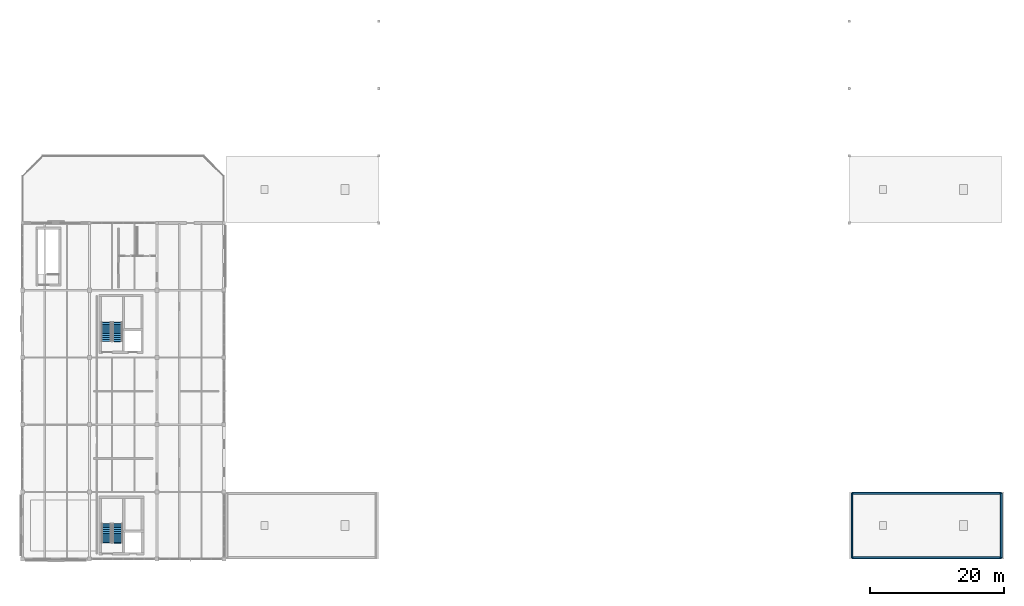
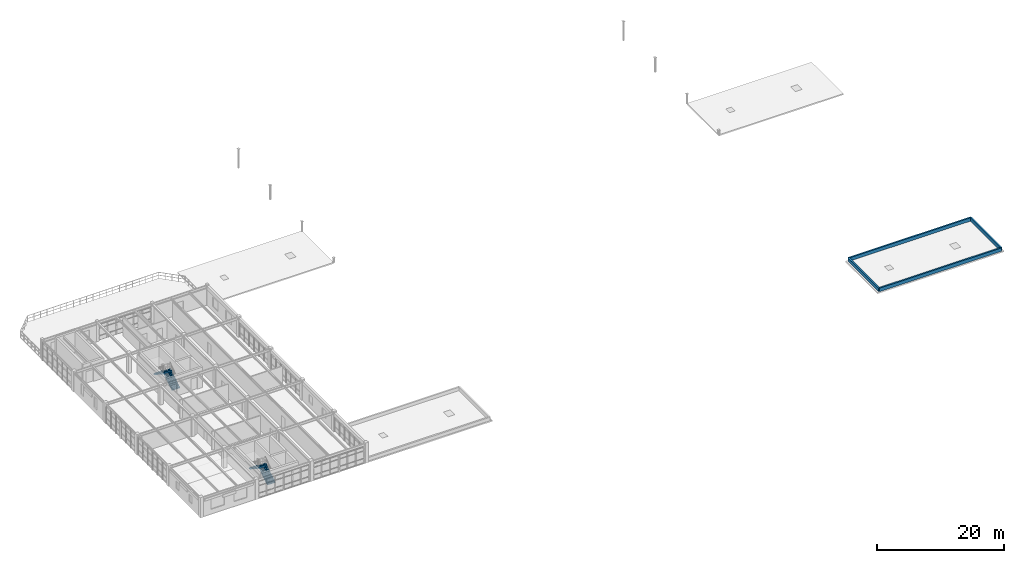
# One storey, part 21 of 23: 4 stair flights, 4 walls, 2 elements without a shape of their own.
"""IFC4 building model written with IfcOpenShell, lengths in metres."""

import ifcopenshell
import ifcopenshell.guid

model = None  # the IFC model being written
_history = None  # IfcOwnerHistory: only IFC2X3 demands one
_inside = {}  # id of a spatial element -> (the spatial element, [elements in it])
_under = {}  # id of a project, library or spatial element -> (it, [spatial elements below it])
_declared = {}  # id of a project -> (the project, [libraries it declares])
_typed = {}  # id of a type object -> (the type object, [elements of that type])
_made_of = {}  # id of a material, layer set ... -> (it, [elements and type objects made of it])


def new_model(schema):
    """Start an empty IFC model of exactly this schema.

    Asked for "IFC4X3", IfcOpenShell would pick the latest addendum, in which some entities
    have other attributes; the version numbers below select the first issue.
    IFC2X3 requires an IfcOwnerHistory on every rooted entity: one is made here for all.
    """
    global model, _history
    if schema == "IFC4X3":
        model = ifcopenshell.file(schema_version=(4, 3, 0, 0))
    else:
        model = ifcopenshell.file(schema=schema)
    _inside.clear()
    _under.clear()
    _declared.clear()
    _typed.clear()
    _made_of.clear()
    _history = None
    if model.schema == "IFC2X3":
        org = make("IfcOrganization", Name="unknown")
        user = make(
            "IfcPersonAndOrganization",
            ThePerson=make("IfcPerson", FamilyName="unknown"),
            TheOrganization=org,
        )
        app = make(
            "IfcApplication",
            ApplicationDeveloper=org,
            Version="unknown",
            ApplicationFullName="unknown",
            ApplicationIdentifier="unknown",
        )
        _history = make(
            "IfcOwnerHistory",
            OwningUser=user,
            OwningApplication=app,
            ChangeAction="ADDED",
            CreationDate=0,
        )
    return model


def make(cls, **values):
    """One entity of the class cls with the attributes given. An attribute that is None is left unset."""
    return model.create_entity(
        cls, **{name: value for name, value in values.items() if value is not None}
    )


def rooted(cls, **values):
    """An entity with a GlobalId (a new one), such as an element, a storey or a relation."""
    return make(cls, GlobalId=ifcopenshell.guid.new(), OwnerHistory=_history, **values)


def si_unit(unit_type, name, prefix=None):
    """IfcSIUnit, for example si_unit("LENGTHUNIT", "METRE", prefix="MILLI")."""
    return make("IfcSIUnit", UnitType=unit_type, Prefix=prefix, Name=name)


def assignment(units):
    """IfcUnitAssignment: the units of a project."""
    return None if units is None else make("IfcUnitAssignment", Units=units)


def point(xyz):
    """IfcCartesianPoint."""
    return None if xyz is None else make("IfcCartesianPoint", Coordinates=xyz)


def direction(xyz):
    """IfcDirection."""
    return None if xyz is None else make("IfcDirection", DirectionRatios=xyz)


def frame(location, z_axis=None, x_axis=None):
    """IfcAxis2Placement3D, a coordinate frame: its origin and axes. An axis left out is left unset."""
    return make(
        "IfcAxis2Placement3D",
        Location=point(location),
        Axis=direction(z_axis),
        RefDirection=direction(x_axis),
    )


def frame_2d(location, x_axis=None):
    """IfcAxis2Placement2D, a coordinate frame in the plane: its origin and x axis."""
    return make(
        "IfcAxis2Placement2D", Location=point(location), RefDirection=direction(x_axis)
    )


def origin():
    """The frame at (0, 0, 0) with its axes left unset."""
    return frame((0.0, 0.0, 0.0))


def place(relative_to, where):
    """IfcLocalPlacement: puts the frame where relative to a parent placement (None: the world)."""
    return make(
        "IfcLocalPlacement", PlacementRelTo=relative_to, RelativePlacement=where
    )


def context(
    kind, dimensions, precision=None, world=None, true_north=None, identifier=None
):
    """IfcGeometricRepresentationContext, for example the 3D "Model" context."""
    return make(
        "IfcGeometricRepresentationContext",
        ContextIdentifier=identifier,
        ContextType=kind,
        CoordinateSpaceDimension=dimensions,
        Precision=precision,
        WorldCoordinateSystem=world,
        TrueNorth=true_north,
    )


def subcontext(parent, identifier, kind, view, scale=None):
    """IfcGeometricRepresentationSubContext, for example "Body" below "Model"."""
    return make(
        "IfcGeometricRepresentationSubContext",
        ContextIdentifier=identifier,
        ContextType=kind,
        ParentContext=parent,
        TargetScale=scale,
        TargetView=view,
    )


def project(units=None, contexts=None):
    """IfcProject with its units and contexts."""
    return rooted(
        "IfcProject",
        Name="project",
        RepresentationContexts=contexts,
        UnitsInContext=assignment(units),
    )


def spatial(cls, under=None, at=None, **own):
    """A site, building, storey or space (cls), placed at a placement, below another one or the project."""
    s = rooted(cls, ObjectPlacement=at, **own)
    if under is not None:
        _under.setdefault(under.id(), (under, []))[1].append(s)
    return s


def polyline(points):
    """IfcPolyline through the points."""
    return make("IfcPolyline", Points=[point(p) for p in points])


def profile(cls, at=None, kind="AREA", **sizes):
    """A parametric profile (cls). Its sizes go by their IFC names, for example OverallWidth=200.0."""
    return make(cls, ProfileType=kind, Position=at, **sizes)


def rectangle(**sizes):
    """IfcRectangleProfileDef."""
    return profile("IfcRectangleProfileDef", **sizes)


def outline(outer, holes=None, kind="AREA"):
    """IfcArbitraryClosedProfileDef: a profile drawn as a closed curve; with holes, ...WithVoids."""
    if holes is None:
        return make("IfcArbitraryClosedProfileDef", ProfileType=kind, OuterCurve=outer)
    return make(
        "IfcArbitraryProfileDefWithVoids",
        ProfileType=kind,
        OuterCurve=outer,
        InnerCurves=holes,
    )


def extrude(swept, where, along, depth):
    """IfcExtrudedAreaSolid: the profile swept, set in the frame where, extruded along a direction by depth."""
    return make(
        "IfcExtrudedAreaSolid",
        SweptArea=swept,
        Position=where,
        ExtrudedDirection=direction(along),
        Depth=depth,
    )


def shape(context_of_items, identifier, shape_type, items):
    """IfcShapeRepresentation: the items that make up one representation, for example the "Body"."""
    return make(
        "IfcShapeRepresentation",
        ContextOfItems=context_of_items,
        RepresentationIdentifier=identifier,
        RepresentationType=shape_type,
        Items=items,
    )


def material(Name=None, Category=None):
    """IfcMaterial."""
    return make("IfcMaterial", Name=Name, Category=Category)


def layer(
    of_material, thickness, ventilated=None, Name=None, Category=None, Priority=None
):
    """IfcMaterialLayer: one layer of a wall or slab, of a material (None: an air gap)."""
    return make(
        "IfcMaterialLayer",
        Material=of_material,
        LayerThickness=thickness,
        IsVentilated=ventilated,
        Name=Name,
        Category=Category,
        Priority=Priority,
    )


def layer_set(layers, Name=None):
    """IfcMaterialLayerSet."""
    return make("IfcMaterialLayerSet", MaterialLayers=layers, LayerSetName=Name)


def made_of(thing, what):
    """Note that an element or type object is made of a material, layer set ...; save() writes the relation."""
    if what is not None:
        _made_of.setdefault(what.id(), (what, []))[1].append(thing)
    return thing


def type_object(cls, material=None, **own):
    """A type object (cls), such as IfcWallType, which elements share."""
    return made_of(rooted(cls, **own), material)


def element(
    cls,
    number,
    at=None,
    inside=None,
    cuts=None,
    type_object=None,
    material=None,
    context=None,
    identifier="Body",
    shape_type=None,
    held_by="IfcProductDefinitionShape",
    body=None,
    shapes=None,
    **own,
):
    """One element of the class cls, such as IfcWall. Its Tag is "e" and its number.

    at: its placement. inside: the storey or other place that contains it. cuts: it is an
    opening in that element (IfcRelVoidsElement). A single representation is given by context,
    identifier, shape_type and body (its items); several are given by shapes. held_by: the class
    of the entity that holds the representations. save() writes the other relations.
    """
    e = rooted(cls, Tag="e%d" % number, ObjectPlacement=at, **own)
    if body is not None:
        shapes = [shape(context, identifier, shape_type, body)]
    if shapes is not None:
        e.Representation = make(held_by, Representations=shapes)
    if inside is not None:
        _inside.setdefault(inside.id(), (inside, []))[1].append(e)
    if cuts is not None:
        rooted(
            "IfcRelVoidsElement", RelatingBuildingElement=cuts, RelatedOpeningElement=e
        )
    if type_object is not None:
        _typed.setdefault(type_object.id(), (type_object, []))[1].append(e)
    return made_of(e, material)


def aggregate(whole, parts):
    """IfcRelAggregates: a whole, such as a stair, and the parts it consists of."""
    return rooted("IfcRelAggregates", RelatingObject=whole, RelatedObjects=parts)


def save(model, path):
    """Write the relations noted so far, then the file.

    IfcRelAggregates (storeys below a building ...), IfcRelContainedInSpatialStructure (elements
    in a storey), IfcRelDefinesByType, IfcRelAssociatesMaterial and IfcRelDeclares: one each for
    every whole, place, type object, material and project.
    """
    for whole, parts in _under.values():
        aggregate(whole, parts)
    for where, things in _inside.values():
        rooted(
            "IfcRelContainedInSpatialStructure",
            RelatedElements=things,
            RelatingStructure=where,
        )
    for kind, things in _typed.values():
        rooted("IfcRelDefinesByType", RelatedObjects=things, RelatingType=kind)
    for what, things in _made_of.values():
        rooted("IfcRelAssociatesMaterial", RelatedObjects=things, RelatingMaterial=what)
    for by, libraries in _declared.values():
        rooted("IfcRelDeclares", RelatingContext=by, RelatedDefinitions=libraries)
    model.write(path)


model = new_model("IFC4")

# Units and contexts
model_context = context("Model", 3, precision=1e-05, world=origin(), true_north=direction((0.0, 1.0)))
body_context = subcontext(model_context, "Body", "Model", "MODEL_VIEW")
ifc_project = project(units=[si_unit("LENGTHUNIT", "METRE"), si_unit("AREAUNIT", "SQUARE_METRE"), si_unit("VOLUMEUNIT", "CUBIC_METRE"), si_unit("PLANEANGLEUNIT", "RADIAN"), si_unit("MASSUNIT", "GRAM", prefix="KILO"), si_unit("THERMODYNAMICTEMPERATUREUNIT", "KELVIN"), si_unit("POWERUNIT", "WATT")], contexts=[model_context])

# Site, building, storey
site_placement = place(None, origin())
site = spatial("IfcSite", under=ifc_project, at=site_placement, CompositionType="ELEMENT")
building_placement = place(site_placement, origin())
building = spatial("IfcBuilding", under=site, at=building_placement, Name="Korenveer Ferry Terminal", CompositionType="ELEMENT")
storey_placement = place(building_placement, frame((0.0, 0.0, 14.39990234375)))
storey = spatial("IfcBuildingStorey", under=building, at=storey_placement, Name="L03", CompositionType="ELEMENT", Elevation=14.39990234375)

# Walls
ifc_material_1 = material(Name="Precast concrete C40/50", Category="concrete")
ifc_layer = layer(ifc_material_1, 0.280029296875)
ifc_layer_set = layer_set([ifc_layer], Name="Precast concrete C40/50")
wall_type = type_object("IfcWallType", Name="ENV-WL-PAR280", PredefinedType="PARAPET", material=ifc_layer_set)
wall_1_placement = place(storey_placement, frame((123.39990234375, 20.199951171875, 0.0), z_axis=(0.0, 0.0, 1.0), x_axis=(1.0, 0.0, 0.0)))
element("IfcWall", 1, at=wall_1_placement, inside=storey, type_object=wall_type, Name="Maintenance roof parapet 5", PredefinedType="PARAPET", context=body_context, shape_type="SweptSolid", body=[
    extrude(rectangle(XDim=22.2001953125, YDim=0.280029296875, at=frame_2d((11.10009765625, 0.0))), origin(), (0.0, 0.0, 1.0), 0.650146484375),
])
wall_2_placement = place(storey_placement, frame((145.60009765625, 20.199951171875, 0.0), z_axis=(0.0, 0.0, 1.0), x_axis=(0.0, 1.0, 0.0)))
element("IfcWall", 2, at=wall_2_placement, inside=storey, type_object=wall_type, Name="Maintenance roof parapet 6", PredefinedType="PARAPET", context=body_context, shape_type="SweptSolid", body=[
    extrude(rectangle(XDim=9.60009765625, YDim=0.280029296875, at=frame_2d((4.800048828125, 0.0))), origin(), (0.0, 0.0, 1.0), 0.650146484375),
])
wall_3_placement = place(storey_placement, frame((145.60009765625, 29.800048828125, 0.0), z_axis=(0.0, 0.0, 1.0), x_axis=(-1.0, 0.0, 0.0)))
element("IfcWall", 3, at=wall_3_placement, inside=storey, type_object=wall_type, Name="Maintenance roof parapet 7", PredefinedType="PARAPET", context=body_context, shape_type="SweptSolid", body=[
    extrude(rectangle(XDim=22.2001953125, YDim=0.280029296875, at=frame_2d((11.10009765625, 0.0))), origin(), (0.0, 0.0, 1.0), 0.650146484375),
])
wall_4_placement = place(storey_placement, frame((123.39990234375, 29.800048828125, 0.0), z_axis=(0.0, 0.0, 1.0), x_axis=(0.0, -1.0, 0.0)))
element("IfcWall", 4, at=wall_4_placement, inside=storey, type_object=wall_type, Name="Maintenance roof parapet 8", PredefinedType="PARAPET", context=body_context, shape_type="SweptSolid", body=[
    extrude(rectangle(XDim=9.60009765625, YDim=0.280029296875, at=frame_2d((4.800048828125, 0.0))), origin(), (0.0, 0.0, 1.0), 0.650146484375),
])

# Stair, stair flights
ifc_material_2 = material(Name="Concrete C40/50", Category="concrete")
stair_type = type_object("IfcStairType", Name="INT-ST-04", PredefinedType="HALF_TURN_STAIR", material=ifc_material_2)
stair_1_placement = place(storey_placement, frame((14.175048828125, 22.449951171875, 0.0)))
stair_1 = element("IfcStair", 5, at=stair_1_placement, inside=storey, type_object=stair_type, Name="L03 West Firefighting Core K1", PredefinedType="HALF_TURN_STAIR")
stair_flight_type = type_object("IfcStairFlightType", Name="INT-SF-04", PredefinedType="STRAIGHT", material=ifc_material_2)
stair_flight_1_placement = place(storey_placement, frame((14.175048828125, 22.449951171875, 0.0), z_axis=(0.0, 0.0, 1.0), x_axis=(0.0, 1.0, 0.0)))
stair_flight_1 = element("IfcStairFlight", 6, at=stair_flight_1_placement, type_object=stair_flight_type, Name="ST01 flight 1", NumberOfRisers=11, NumberOfTreads=10, PredefinedType="STRAIGHT", RiserHeight=0.177272727, TreadLength=0.28, context=body_context, shape_type="SweptSolid", body=[
    extrude(outline(polyline([(-0.080078125, 0.0), (0.0, 0.0), (0.0, 0.17724609375), (0.280029296875, 0.17724609375), (0.280029296875, 0.3544921875), (0.56005859375, 0.3544921875), (0.56005859375, 0.53173828125), (0.840087890625, 0.53173828125), (0.840087890625, 0.708984375), (1.1201171875, 0.708984375), (1.1201171875, 0.886474609375), (1.39990234375, 0.886474609375), (1.39990234375, 1.063720703125), (1.679931640625, 1.063720703125), (1.679931640625, 1.240966796875), (1.9599609375, 1.240966796875), (1.9599609375, 1.418212890625), (2.239990234375, 1.418212890625), (2.239990234375, 1.595458984375), (2.52001953125, 1.595458984375), (2.52001953125, 1.772705078125), (2.800048828125, 1.772705078125), (2.800048828125, 1.949951171875), (2.860107421875, 1.949951171875), (2.860107421875, 1.800048828125), (2.800048828125, 1.59521484375), (0.2802734375, 0.0), (0.0, -0.10009765625), (-0.080078125, -0.10009765625), (-0.080078125, 0.0)])), frame((0.0, 0.72509765625, 0.0), z_axis=(0.0, -1.0, 0.0), x_axis=(1.0, 0.0, 0.0)), (0.0, 0.0, 1.0), 1.449951171875),
])
stair_flight_2_placement = place(storey_placement, frame((12.52490234375, 25.25, 1.9501953125), z_axis=(0.0, 0.0, 1.0), x_axis=(0.0, -1.0, 0.0)))
stair_flight_2 = element("IfcStairFlight", 7, at=stair_flight_2_placement, type_object=stair_flight_type, Name="ST01 flight 2", NumberOfRisers=11, NumberOfTreads=10, PredefinedType="STRAIGHT", RiserHeight=0.177272727, TreadLength=0.28, context=body_context, shape_type="SweptSolid", body=[
    extrude(outline(polyline([(-0.080078125, 0.0), (0.0, 0.0), (0.0, 0.17724609375), (0.280029296875, 0.17724609375), (0.280029296875, 0.3544921875), (0.56005859375, 0.3544921875), (0.56005859375, 0.53173828125), (0.840087890625, 0.53173828125), (0.840087890625, 0.708984375), (1.1201171875, 0.708984375), (1.1201171875, 0.886474609375), (1.39990234375, 0.886474609375), (1.39990234375, 1.063720703125), (1.679931640625, 1.063720703125), (1.679931640625, 1.240966796875), (1.9599609375, 1.240966796875), (1.9599609375, 1.418212890625), (2.239990234375, 1.418212890625), (2.239990234375, 1.595458984375), (2.52001953125, 1.595458984375), (2.52001953125, 1.772705078125), (2.800048828125, 1.772705078125), (2.800048828125, 1.949951171875), (2.860107421875, 1.949951171875), (2.860107421875, 1.800048828125), (2.800048828125, 1.59521484375), (0.2802734375, 0.0), (0.0, -0.10009765625), (-0.080078125, -0.10009765625), (-0.080078125, 0.0)])), frame((0.0, 0.72509765625, 0.0), z_axis=(0.0, -1.0, 0.0), x_axis=(1.0, 0.0, 0.0)), (0.0, 0.0, 1.0), 1.449951171875),
])
aggregate(stair_1, [stair_flight_1, stair_flight_2])

stair_2_placement = place(storey_placement, frame((14.135009765625, 52.409912109375, 0.0)))
stair_2 = element("IfcStair", 8, at=stair_2_placement, inside=storey, type_object=stair_type, Name="L03 West Operations Core K2", PredefinedType="HALF_TURN_STAIR")
stair_flight_3_placement = place(storey_placement, frame((14.135009765625, 52.409912109375, 0.0), z_axis=(0.0, 0.0, 1.0), x_axis=(0.0, 1.0, 0.0)))
stair_flight_3 = element("IfcStairFlight", 9, at=stair_flight_3_placement, type_object=stair_flight_type, Name="ST02 flight 1", NumberOfRisers=11, NumberOfTreads=10, PredefinedType="STRAIGHT", RiserHeight=0.177272727, TreadLength=0.28, context=body_context, shape_type="SweptSolid", body=[
    extrude(outline(polyline([(-0.080078125, 0.0), (0.0, 0.0), (0.0, 0.17724609375), (0.280029296875, 0.17724609375), (0.280029296875, 0.3544921875), (0.56005859375, 0.3544921875), (0.56005859375, 0.53173828125), (0.840087890625, 0.53173828125), (0.840087890625, 0.708984375), (1.1201171875, 0.708984375), (1.1201171875, 0.886474609375), (1.39990234375, 0.886474609375), (1.39990234375, 1.063720703125), (1.679931640625, 1.063720703125), (1.679931640625, 1.240966796875), (1.9599609375, 1.240966796875), (1.9599609375, 1.418212890625), (2.239990234375, 1.418212890625), (2.239990234375, 1.595458984375), (2.52001953125, 1.595458984375), (2.52001953125, 1.772705078125), (2.800048828125, 1.772705078125), (2.800048828125, 1.949951171875), (2.860107421875, 1.949951171875), (2.860107421875, 1.800048828125), (2.800048828125, 1.59521484375), (0.2802734375, 0.0), (0.0, -0.10009765625), (-0.080078125, -0.10009765625), (-0.080078125, 0.0)])), frame((0.0, 0.72509765625, 0.0), z_axis=(0.0, -1.0, 0.0), x_axis=(1.0, 0.0, 0.0)), (0.0, 0.0, 1.0), 1.449951171875),
])
stair_flight_4_placement = place(storey_placement, frame((12.485107421875, 55.2099609375, 1.9501953125), z_axis=(0.0, 0.0, 1.0), x_axis=(0.0, -1.0, 0.0)))
stair_flight_4 = element("IfcStairFlight", 10, at=stair_flight_4_placement, type_object=stair_flight_type, Name="ST02 flight 2", NumberOfRisers=11, NumberOfTreads=10, PredefinedType="STRAIGHT", RiserHeight=0.177272727, TreadLength=0.28, context=body_context, shape_type="SweptSolid", body=[
    extrude(outline(polyline([(-0.080078125, 0.0), (0.0, 0.0), (0.0, 0.17724609375), (0.280029296875, 0.17724609375), (0.280029296875, 0.3544921875), (0.56005859375, 0.3544921875), (0.56005859375, 0.53173828125), (0.840087890625, 0.53173828125), (0.840087890625, 0.708984375), (1.1201171875, 0.708984375), (1.1201171875, 0.886474609375), (1.39990234375, 0.886474609375), (1.39990234375, 1.063720703125), (1.679931640625, 1.063720703125), (1.679931640625, 1.240966796875), (1.9599609375, 1.240966796875), (1.9599609375, 1.418212890625), (2.239990234375, 1.418212890625), (2.239990234375, 1.595458984375), (2.52001953125, 1.595458984375), (2.52001953125, 1.772705078125), (2.800048828125, 1.772705078125), (2.800048828125, 1.949951171875), (2.860107421875, 1.949951171875), (2.860107421875, 1.800048828125), (2.800048828125, 1.59521484375), (0.2802734375, 0.0), (0.0, -0.10009765625), (-0.080078125, -0.10009765625), (-0.080078125, 0.0)])), frame((0.0, 0.72509765625, 0.0), z_axis=(0.0, -1.0, 0.0), x_axis=(1.0, 0.0, 0.0)), (0.0, 0.0, 1.0), 1.449951171875),
])
aggregate(stair_2, [stair_flight_3, stair_flight_4])

save(model, "model.ifc")
